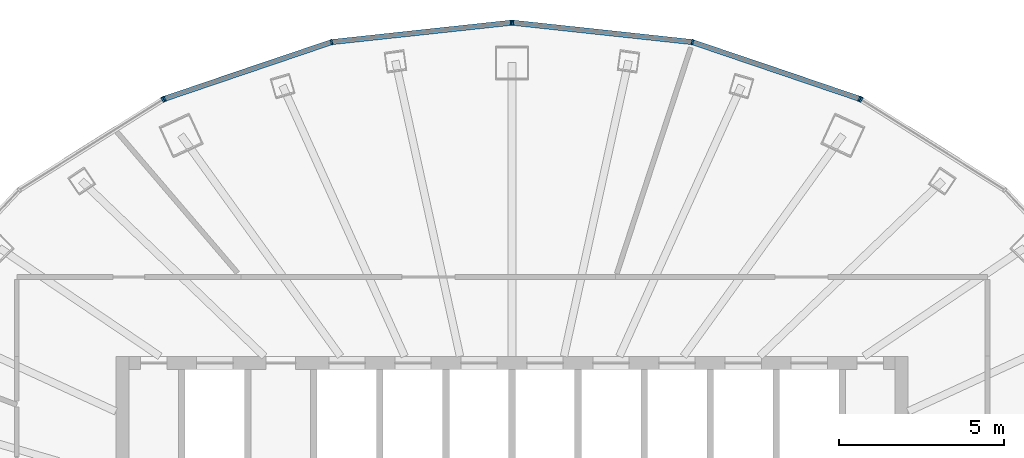
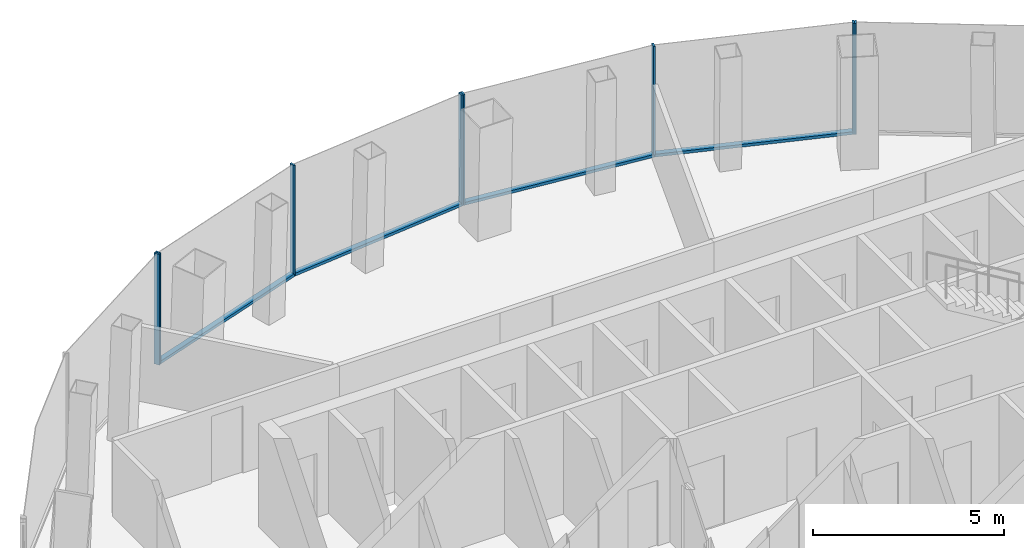
# One storey, part 6 of 11: 12 members, 4 elements without a shape of their own.
"""IFC4 building model written with IfcOpenShell, lengths in metres."""

from ifc_helpers import new_model, si_unit, direction, frame, origin, origin_2d, place, context, subcontext, project, spatial, rectangle, extrude, material, layer, layer_set, material_profile, profile_set, type_object, element, aggregate, save


model = new_model("IFC4")

# Units and contexts
model_context = context("Model", 3, precision=1e-05, world=origin(), true_north=direction((0.0, 1.0)))
body_context = subcontext(model_context, "Body", "Model", "MODEL_VIEW")
ifc_project = project(units=[si_unit("LENGTHUNIT", "METRE"), si_unit("AREAUNIT", "SQUARE_METRE"), si_unit("VOLUMEUNIT", "CUBIC_METRE"), si_unit("PLANEANGLEUNIT", "RADIAN"), si_unit("MASSUNIT", "GRAM", prefix="KILO")], contexts=[model_context])

# Site, building, storey
site_placement = place(None, origin())
site = spatial("IfcSite", under=ifc_project, at=site_placement, CompositionType="ELEMENT")
building_placement = place(site_placement, origin())
building = spatial("IfcBuilding", under=site, at=building_placement, Name="Siaravel Broadcast Tower", CompositionType="ELEMENT")
storey_placement = place(building_placement, frame((0.0, 0.0, 246.699951171875)))
storey = spatial("IfcBuildingStorey", under=building, at=storey_placement, Name="L60", CompositionType="ELEMENT", Elevation=246.699951171875)

# Curtain wall, member
ifc_material = material(Name="Aluminium 6063-T6", Category="aluminium")
ifc_layer = layer(ifc_material, 0.159912109375)
ifc_layer_set = layer_set([ifc_layer], Name="Aluminium 6063-T6")
curtain_wall_type = type_object("IfcCurtainWallType", Name="Unitised curtain wall, zone 4", PredefinedType="NOTDEFINED", material=ifc_layer_set)
curtain_wall_1_placement = place(storey_placement, origin())
curtain_wall_1 = element("IfcCurtainWall", 1, at=curtain_wall_1_placement, inside=storey, type_object=curtain_wall_type, Name="L60 Unitised curtain wall, zone 4 02", PredefinedType="NOTDEFINED")
ifc_material_profile_1 = material_profile(ifc_material, rectangle(XDim=0.159912109375, YDim=0.054931640625, at=origin_2d()))
ifc_profile_set_1 = profile_set([ifc_material_profile_1], Name="Aluminium 6063-T6")
member_type_1 = type_object("IfcMemberType", Name="CW-Z4 mullion", PredefinedType="MULLION", material=ifc_profile_set_1)
member_1_placement = place(storey_placement, frame((10.57861328125, 14.9755859375, 0.0), z_axis=(0.0, 0.0, 1.0), x_axis=(-0.532150463, -0.846649801, 0.0)))
member_1 = element("IfcMember", 2, at=member_1_placement, type_object=member_type_1, Name="CW-Z4 mullion 3", PredefinedType="MULLION", context=body_context, shape_type="SweptSolid", body=[
    extrude(rectangle(XDim=0.159912109375, YDim=0.054931640625, at=origin_2d()), origin(), (0.0, 0.0, 1.0), 3.550048828125),
])
aggregate(curtain_wall_1, [member_1])

# Curtain wall, members
curtain_wall_2_placement = place(storey_placement, origin())
curtain_wall_2 = element("IfcCurtainWall", 3, at=curtain_wall_2_placement, inside=storey, type_object=curtain_wall_type, Name="L60 Unitised curtain wall, zone 4 03", PredefinedType="NOTDEFINED")
member_2_placement = place(storey_placement, frame((10.529296875, 14.998779296875, 0.0), z_axis=(0.0, 0.0, 1.0), x_axis=(-0.321301466, -0.946976963, 0.0)))
member_2 = element("IfcMember", 4, at=member_2_placement, type_object=member_type_1, Name="CW-Z4 mullion 1", PredefinedType="MULLION", context=body_context, shape_type="SweptSolid", body=[
    extrude(rectangle(XDim=0.159912109375, YDim=0.054931640625, at=origin_2d()), origin(), (0.0, 0.0, 1.0), 3.550048828125),
])
member_3_placement = place(storey_placement, frame((5.46337890625, 16.7177734375, 0.0), z_axis=(0.0, 0.0, 1.0), x_axis=(-0.215558647, -0.976490896, 0.0)))
member_3 = element("IfcMember", 5, at=member_3_placement, type_object=member_type_1, Name="CW-Z4 mullion 2", PredefinedType="MULLION", context=body_context, shape_type="SweptSolid", body=[
    extrude(rectangle(XDim=0.159912109375, YDim=0.054931640625, at=origin_2d()), origin(), (0.0, 0.0, 1.0), 3.550048828125),
])
member_4_placement = place(storey_placement, frame((0.02734375, 17.303955078125, 0.0), z_axis=(0.0, 0.0, 1.0), x_axis=(-0.107217782, -0.994235559, 0.0)))
member_4 = element("IfcMember", 6, at=member_4_placement, type_object=member_type_1, Name="CW-Z4 mullion 3", PredefinedType="MULLION", context=body_context, shape_type="SweptSolid", body=[
    extrude(rectangle(XDim=0.159912109375, YDim=0.054931640625, at=origin_2d()), origin(), (0.0, 0.0, 1.0), 3.550048828125),
])

curtain_wall_3_placement = place(storey_placement, origin())
curtain_wall_3 = element("IfcCurtainWall", 7, at=curtain_wall_3_placement, inside=storey, type_object=curtain_wall_type, Name="L60 Unitised curtain wall, zone 4 04", PredefinedType="NOTDEFINED")
member_5_placement = place(storey_placement, frame((-0.02734375, 17.303955078125, 0.0), z_axis=(0.0, 0.0, 1.0), x_axis=(0.107217782, -0.994235559, 0.0)))
member_5 = element("IfcMember", 8, at=member_5_placement, type_object=member_type_1, Name="CW-Z4 mullion 1", PredefinedType="MULLION", context=body_context, shape_type="SweptSolid", body=[
    extrude(rectangle(XDim=0.159912109375, YDim=0.054931640625, at=origin_2d()), origin(), (0.0, 0.0, 1.0), 3.550048828125),
])
member_6_placement = place(storey_placement, frame((-5.46337890625, 16.7177734375, 0.0), z_axis=(0.0, 0.0, 1.0), x_axis=(0.215558647, -0.976490896, 0.0)))
member_6 = element("IfcMember", 9, at=member_6_placement, type_object=member_type_1, Name="CW-Z4 mullion 2", PredefinedType="MULLION", context=body_context, shape_type="SweptSolid", body=[
    extrude(rectangle(XDim=0.159912109375, YDim=0.054931640625, at=origin_2d()), origin(), (0.0, 0.0, 1.0), 3.550048828125),
])
member_7_placement = place(storey_placement, frame((-10.529296875, 14.998779296875, 0.0), z_axis=(0.0, 0.0, 1.0), x_axis=(0.321301466, -0.946976963, 0.0)))
member_7 = element("IfcMember", 10, at=member_7_placement, type_object=member_type_1, Name="CW-Z4 mullion 3", PredefinedType="MULLION", context=body_context, shape_type="SweptSolid", body=[
    extrude(rectangle(XDim=0.159912109375, YDim=0.054931640625, at=origin_2d()), origin(), (0.0, 0.0, 1.0), 3.550048828125),
])

# Curtain wall, member
curtain_wall_4_placement = place(storey_placement, origin())
curtain_wall_4 = element("IfcCurtainWall", 11, at=curtain_wall_4_placement, inside=storey, type_object=curtain_wall_type, Name="L60 Unitised curtain wall, zone 4 05", PredefinedType="NOTDEFINED")
member_8_placement = place(storey_placement, frame((-10.57861328125, 14.9755859375, 0.0), z_axis=(0.0, 0.0, 1.0), x_axis=(0.532150463, -0.846649801, 0.0)))
member_8 = element("IfcMember", 12, at=member_8_placement, type_object=member_type_1, Name="CW-Z4 mullion 1", PredefinedType="MULLION", context=body_context, shape_type="SweptSolid", body=[
    extrude(rectangle(XDim=0.159912109375, YDim=0.054931640625, at=origin_2d()), origin(), (0.0, 0.0, 1.0), 3.550048828125),
])
aggregate(curtain_wall_4, [member_8])

# Member
ifc_material_profile_2 = material_profile(ifc_material, rectangle(XDim=0.159912109375, YDim=0.090087890625, at=origin_2d()))
ifc_profile_set_2 = profile_set([ifc_material_profile_2], Name="Aluminium 6063-T6")
member_type_2 = type_object("IfcMemberType", Name="CW-Z4 transom", PredefinedType="USERDEFINED", material=ifc_profile_set_2)
member_9_placement = place(storey_placement, frame((10.503173828125, 15.0078125, 0.045166015625), z_axis=(-0.946972687, 0.321314067, 0.0), x_axis=(-0.321314067, -0.946972687, 0.0)))
member_9 = element("IfcMember", 13, at=member_9_placement, type_object=member_type_2, Name="CW-Z4 transom 1", ObjectType="TRANSOM", PredefinedType="USERDEFINED", context=body_context, shape_type="SweptSolid", body=[
    extrude(rectangle(XDim=0.159912109375, YDim=0.090087890625, at=origin_2d()), origin(), (0.0, 0.0, 1.0), 5.29443359375),
])

member_10_placement = place(storey_placement, frame((5.43603515625, 16.720703125, 0.045166015625), z_axis=(-0.994235542, 0.107217942, 0.0), x_axis=(-0.107217942, -0.994235542, 0.0)))
member_10 = element("IfcMember", 14, at=member_10_placement, type_object=member_type_2, Name="CW-Z4 transom 2", ObjectType="TRANSOM", PredefinedType="USERDEFINED", context=body_context, shape_type="SweptSolid", body=[
    extrude(rectangle(XDim=0.159912109375, YDim=0.090087890625, at=origin_2d()), origin(), (0.0, 0.0, 1.0), 5.41259765625),
])

aggregate(curtain_wall_2, [member_2, member_3, member_4, member_9, member_10])

member_11_placement = place(storey_placement, frame((-0.0546875, 17.301025390625, 0.045166015625), z_axis=(-0.994235542, -0.107217942, 0.0), x_axis=(0.107217942, -0.994235542, 0.0)))
member_11 = element("IfcMember", 15, at=member_11_placement, type_object=member_type_2, Name="CW-Z4 transom 1", ObjectType="TRANSOM", PredefinedType="USERDEFINED", context=body_context, shape_type="SweptSolid", body=[
    extrude(rectangle(XDim=0.159912109375, YDim=0.090087890625, at=origin_2d()), origin(), (0.0, 0.0, 1.0), 5.41259765625),
])

member_12_placement = place(storey_placement, frame((-5.489501953125, 16.708984375, 0.045166015625), z_axis=(-0.946972687, -0.321314067, 0.0), x_axis=(0.321314067, -0.946972687, 0.0)))
member_12 = element("IfcMember", 16, at=member_12_placement, type_object=member_type_2, Name="CW-Z4 transom 2", ObjectType="TRANSOM", PredefinedType="USERDEFINED", context=body_context, shape_type="SweptSolid", body=[
    extrude(rectangle(XDim=0.159912109375, YDim=0.090087890625, at=origin_2d()), origin(), (0.0, 0.0, 1.0), 5.29443359375),
])

aggregate(curtain_wall_3, [member_5, member_6, member_7, member_11, member_12])

save(model, "model.ifc")
